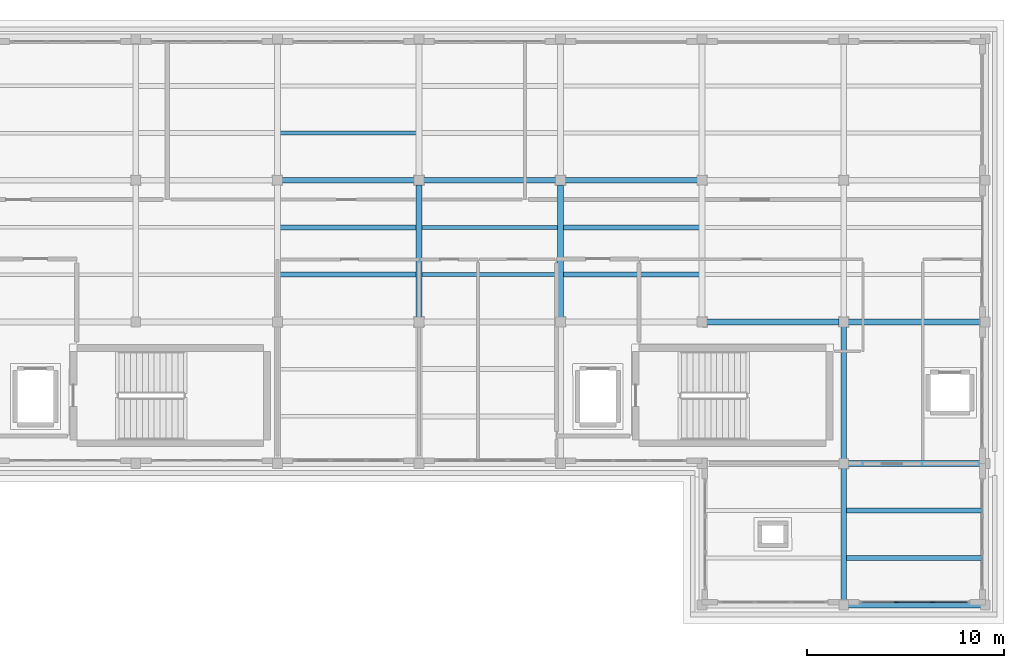
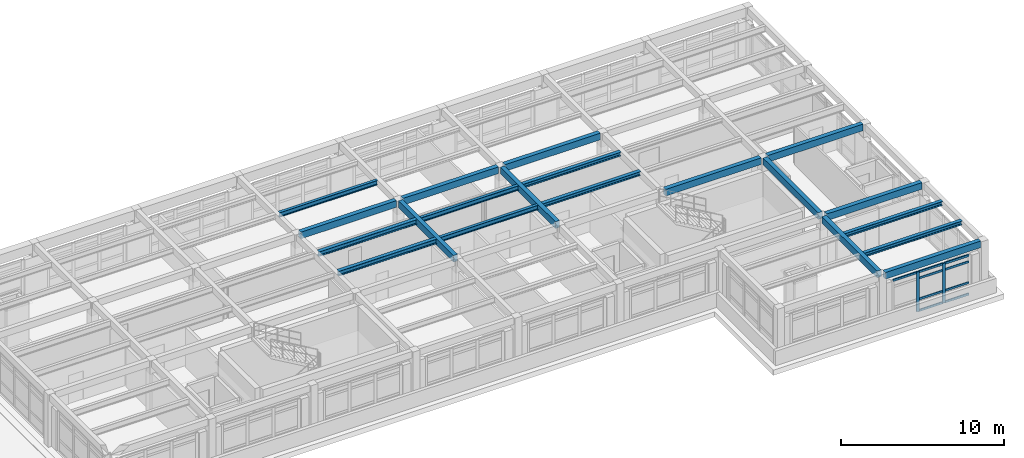
# One storey, part 6 of 18: 20 beams, 11 members, 1 element without a shape of its own.
"""IFC4 building model written with IfcOpenShell, lengths in metres."""

from ifc_helpers import new_model, si_unit, direction, frame, origin, origin_2d, place, context, subcontext, project, spatial, rectangle, i_section, extrude, material, layer, layer_set, material_profile, profile_set, type_object, element, aggregate, save


model = new_model("IFC4")

# Units and contexts
model_context = context("Model", 3, precision=1e-05, world=origin(), true_north=direction((0.0, 1.0)))
body_context = subcontext(model_context, "Body", "Model", "MODEL_VIEW")
ifc_project = project(units=[si_unit("LENGTHUNIT", "METRE"), si_unit("AREAUNIT", "SQUARE_METRE"), si_unit("VOLUMEUNIT", "CUBIC_METRE"), si_unit("PLANEANGLEUNIT", "RADIAN"), si_unit("MASSUNIT", "GRAM", prefix="KILO")], contexts=[model_context])

# Site, building, storey
site_placement = place(None, origin())
site = spatial("IfcSite", under=ifc_project, at=site_placement, CompositionType="ELEMENT")
building_placement = place(site_placement, origin())
building = spatial("IfcBuilding", under=site, at=building_placement, Name="Solenvale Faculty of Natural Sciences", CompositionType="ELEMENT")
storey_placement = place(building_placement, frame((0.0, 0.0, 39.60009765625)))
storey = spatial("IfcBuildingStorey", under=building, at=storey_placement, Name="L09", CompositionType="ELEMENT", Elevation=39.60009765625)

# Beams
ifc_material_1 = material(Name="Concrete 40 MPa", Category="concrete")
ifc_material_profile_1 = material_profile(ifc_material_1, rectangle(XDim=0.300048828125, YDim=0.5, at=origin_2d()), Name="RC-BM-300x500")
ifc_profile_set_1 = profile_set([ifc_material_profile_1], Name="Concrete 40 MPa")
beam_type_1 = type_object("IfcBeamType", Name="BM-RC-300x500", PredefinedType="BEAM", material=ifc_profile_set_1)
for number, where, z_axis, x_axis, name in (
    (1, (144.22998046875, 86.39990234375, 3.669921875), (1.0, 0.0, 0.0), (0.0, 1.0, 0.0), "L09 X-Girder Y86.4 (144.0..151.2)"),
    (2, (144.22998046875, 93.60009765625, 3.669921875), (1.0, 0.0, 0.0), (0.0, 1.0, 0.0), "L09 X-Girder Y93.6 (144.0..151.2)"),
    (3, (137.030029296875, 100.800048828125, 3.669921875), (1.0, 0.0, 0.0), (0.0, 1.0, 0.0), "L09 X-Girder Y100.8 (136.8..144.0)"),
    (4, (144.22998046875, 100.800048828125, 3.669921875), (1.0, 0.0, 0.0), (0.0, 1.0, 0.0), "L09 X-Girder Y100.8 (144.0..151.2)"),
    (5, (115.429931640625, 108.0, 3.669921875), (1.0, 0.0, 0.0), (0.0, 1.0, 0.0), "L09 X-Girder Y108.0 (115.2..122.4)"),
):
    element("IfcBeam", number, at=place(storey_placement, frame(where, z_axis=z_axis, x_axis=x_axis)), inside=storey, type_object=beam_type_1, Name=name, PredefinedType="BEAM", context=body_context, shape_type="SweptSolid", body=[
        extrude(rectangle(XDim=0.300048828125, YDim=0.5, at=origin_2d()), origin(), (0.0, 0.0, 1.0), 6.739990234375),
    ])
beam_1_placement = place(storey_placement, frame((122.6298828125, 108.0, 3.669921875), z_axis=(1.0, 0.0, 0.0), x_axis=(0.0, 1.0, 0.0)))
element("IfcBeam", 6, at=beam_1_placement, inside=storey, type_object=beam_type_1, Name="L09 X-Girder Y108.0 (122.4..129.6)", PredefinedType="BEAM", context=body_context, shape_type="SweptSolid", body=[
    extrude(rectangle(XDim=0.300048828125, YDim=0.5, at=origin_2d()), origin(), (0.0, 0.0, 1.0), 6.740234375),
])
for number, where, z_axis, x_axis, name in (
    (7, (129.830078125, 108.0, 3.669921875), (1.0, 0.0, 0.0), (0.0, 1.0, 0.0), "L09 X-Girder Y108.0 (129.6..136.8)"),
    (8, (122.39990234375, 101.030029296875, 3.669921875), (0.0, 1.0, 0.0), (-1.0, 0.0, 0.0), "L09 Y-Girder X122.4 (100.8..108.0)"),
    (9, (129.60009765625, 101.030029296875, 3.669921875), (0.0, 1.0, 0.0), (-1.0, 0.0, 0.0), "L09 Y-Girder X129.6 (100.8..108.0)"),
):
    element("IfcBeam", number, at=place(storey_placement, frame(where, z_axis=z_axis, x_axis=x_axis)), inside=storey, type_object=beam_type_1, Name=name, PredefinedType="BEAM", context=body_context, shape_type="SweptSolid", body=[
        extrude(rectangle(XDim=0.300048828125, YDim=0.5, at=origin_2d()), origin(), (0.0, 0.0, 1.0), 6.739990234375),
    ])
beam_2_placement = place(storey_placement, frame((144.0, 86.6298828125, 3.669921875), z_axis=(0.0, 1.0, 0.0), x_axis=(-1.0, 0.0, 0.0)))
element("IfcBeam", 10, at=beam_2_placement, inside=storey, type_object=beam_type_1, Name="L09 Y-Girder X144.0 (86.4..93.6)", PredefinedType="BEAM", context=body_context, shape_type="SweptSolid", body=[
    extrude(rectangle(XDim=0.300048828125, YDim=0.5, at=origin_2d()), origin(), (0.0, 0.0, 1.0), 6.740234375),
])
beam_3_placement = place(storey_placement, frame((144.0, 93.830078125, 3.669921875), z_axis=(0.0, 1.0, 0.0), x_axis=(-1.0, 0.0, 0.0)))
element("IfcBeam", 11, at=beam_3_placement, inside=storey, type_object=beam_type_1, Name="L09 Y-Girder X144.0 (93.6..100.8)", PredefinedType="BEAM", context=body_context, shape_type="SweptSolid", body=[
    extrude(rectangle(XDim=0.300048828125, YDim=0.5, at=origin_2d()), origin(), (0.0, 0.0, 1.0), 6.739990234375),
])
ifc_material_2 = material(Name="Steel S355", Category="steel")
ifc_material_profile_2 = material_profile(ifc_material_2, i_section(OverallWidth=0.25390625, OverallDepth=0.305908203125, WebThickness=0.0087890625, FlangeThickness=0.0146484375, FilletRadius=0.014892578125, at=origin_2d()), Name="W310x79")
ifc_profile_set_2 = profile_set([ifc_material_profile_2], Name="Steel S355")
beam_type_2 = type_object("IfcBeamType", Name="BM-STL-W310x79", PredefinedType="JOIST", material=ifc_profile_set_2)
for number, where, z_axis, x_axis, name in (
    (12, (129.72998046875, 103.199951171875, 3.766845703125), (1.0, 0.0, 0.0), (0.0, 1.0, 0.0), "L09 Composite Floor Joist (19,15).1"),
    (13, (129.72998046875, 105.60009765625, 3.766845703125), (1.0, 0.0, 0.0), (0.0, 1.0, 0.0), "L09 Composite Floor Joist (19,15).2"),
):
    element("IfcBeam", number, at=place(storey_placement, frame(where, z_axis=z_axis, x_axis=x_axis)), inside=storey, type_object=beam_type_2, Name=name, PredefinedType="JOIST", context=body_context, shape_type="SweptSolid", body=[
        extrude(i_section(OverallWidth=0.25390625, OverallDepth=0.305908203125, WebThickness=0.0087890625, FlangeThickness=0.0146484375, FilletRadius=0.014892578125, at=origin_2d()), origin(), (0.0, 0.0, 1.0), 6.93994140625),
    ])
for number, where, z_axis, x_axis, name in (
    (14, (144.1298828125, 88.800048828125, 3.766845703125), (1.0, 0.0, 0.0), (0.0, 1.0, 0.0), "L09 Composite Floor Joist (21,13).1"),
    (15, (144.1298828125, 91.199951171875, 3.766845703125), (1.0, 0.0, 0.0), (0.0, 1.0, 0.0), "L09 Composite Floor Joist (21,13).2"),
):
    element("IfcBeam", number, at=place(storey_placement, frame(where, z_axis=z_axis, x_axis=x_axis)), inside=storey, type_object=beam_type_2, Name=name, PredefinedType="JOIST", context=body_context, shape_type="SweptSolid", body=[
        extrude(i_section(OverallWidth=0.25390625, OverallDepth=0.305908203125, WebThickness=0.0087890625, FlangeThickness=0.0146484375, FilletRadius=0.014892578125, at=origin_2d()), origin(), (0.0, 0.0, 1.0), 6.940185546875),
    ])
ifc_material_profile_3 = material_profile(ifc_material_2, i_section(OverallWidth=0.2548828125, OverallDepth=0.35693359375, WebThickness=0.010498046875, FlangeThickness=0.018310546875, FilletRadius=0.014892578125, at=origin_2d()), Name="W360x101")
ifc_profile_set_3 = profile_set([ifc_material_profile_3], Name="Steel S355")
beam_type_3 = type_object("IfcBeamType", Name="BM-STL-W360x101", PredefinedType="JOIST", material=ifc_profile_set_3)
for number, where, z_axis, x_axis, name in (
    (16, (115.330078125, 103.199951171875, 3.741455078125), (1.0, 0.0, 0.0), (0.0, 1.0, 0.0), "L09 Composite Floor Joist (17,15).1"),
    (17, (115.330078125, 105.60009765625, 3.741455078125), (1.0, 0.0, 0.0), (0.0, 1.0, 0.0), "L09 Composite Floor Joist (17,15).2"),
):
    element("IfcBeam", number, at=place(storey_placement, frame(where, z_axis=z_axis, x_axis=x_axis)), inside=storey, type_object=beam_type_3, Name=name, PredefinedType="JOIST", context=body_context, shape_type="SweptSolid", body=[
        extrude(i_section(OverallWidth=0.2548828125, OverallDepth=0.35693359375, WebThickness=0.010498046875, FlangeThickness=0.018310546875, FilletRadius=0.014892578125, at=origin_2d()), origin(), (0.0, 0.0, 1.0), 6.93994140625),
    ])
ifc_material_profile_4 = material_profile(ifc_material_2, i_section(OverallWidth=0.2041015625, OverallDepth=0.35009765625, WebThickness=0.008544921875, FlangeThickness=0.01513671875, FilletRadius=0.014892578125, at=origin_2d()), Name="W360x72")
ifc_profile_set_4 = profile_set([ifc_material_profile_4], Name="Steel S355")
beam_type_4 = type_object("IfcBeamType", Name="BM-STL-W360x72", PredefinedType="JOIST", material=ifc_profile_set_4)
for number, where, z_axis, x_axis, name in (
    (18, (115.330078125, 110.39990234375, 3.744873046875), (1.0, 0.0, 0.0), (0.0, 1.0, 0.0), "L09 Composite Floor Joist (17,16).1"),
    (19, (122.530029296875, 103.199951171875, 3.744873046875), (1.0, 0.0, 0.0), (0.0, 1.0, 0.0), "L09 Composite Floor Joist (18,15).1"),
    (20, (122.530029296875, 105.60009765625, 3.744873046875), (1.0, 0.0, 0.0), (0.0, 1.0, 0.0), "L09 Composite Floor Joist (18,15).2"),
):
    element("IfcBeam", number, at=place(storey_placement, frame(where, z_axis=z_axis, x_axis=x_axis)), inside=storey, type_object=beam_type_4, Name=name, PredefinedType="JOIST", context=body_context, shape_type="SweptSolid", body=[
        extrude(i_section(OverallWidth=0.2041015625, OverallDepth=0.35009765625, WebThickness=0.008544921875, FlangeThickness=0.01513671875, FilletRadius=0.014892578125, at=origin_2d()), origin(), (0.0, 0.0, 1.0), 6.93994140625),
    ])

# Curtain wall, members
ifc_material_3 = material(Name="Anodised bronze aluminium", Category="aluminium")
ifc_layer = layer(ifc_material_3, 0.179931640625)
ifc_layer_set = layer_set([ifc_layer], Name="Anodised bronze aluminium")
curtain_wall_type = type_object("IfcCurtainWallType", Name="CW-TWR-MOD", PredefinedType="USERDEFINED", material=ifc_layer_set)
curtain_wall_placement = place(storey_placement, origin())
curtain_wall = element("IfcCurtainWall", 21, at=curtain_wall_placement, inside=storey, type_object=curtain_wall_type, Name="L09 Curtain Wall CW-L09-P1-E6-B2", ObjectType="UNITISED CURTAIN WALL", PredefinedType="USERDEFINED")
ifc_material_profile_5 = material_profile(ifc_material_3, rectangle(XDim=0.074951171875, YDim=0.2099609375, at=origin_2d()), Name="ALU-MUL-75x210")
ifc_profile_set_5 = profile_set([ifc_material_profile_5], Name="Anodised bronze aluminium")
member_type_1 = type_object("IfcMemberType", Name="CWM-ALU-75x210", PredefinedType="MULLION", material=ifc_profile_set_5)
member_1_placement = place(storey_placement, frame((146.683349609375, 86.54248046875, 0.0), z_axis=(0.0, 0.0, 1.0), x_axis=(0.0, 1.0, 0.0)))
member_1 = element("IfcMember", 22, at=member_1_placement, type_object=member_type_1, Name="CW-04 mullion 2", PredefinedType="MULLION", context=body_context, shape_type="SweptSolid", body=[
    extrude(rectangle(XDim=0.074951171875, YDim=0.2099609375, at=origin_2d()), origin(), (0.0, 0.0, 1.0), 2.9599609375),
])
member_2_placement = place(storey_placement, frame((148.5166015625, 86.54248046875, 0.0), z_axis=(0.0, 0.0, 1.0), x_axis=(0.0, 1.0, 0.0)))
member_2 = element("IfcMember", 23, at=member_2_placement, type_object=member_type_1, Name="CW-04 mullion 3", PredefinedType="MULLION", context=body_context, shape_type="SweptSolid", body=[
    extrude(rectangle(XDim=0.074951171875, YDim=0.2099609375, at=origin_2d()), origin(), (0.0, 0.0, 1.0), 2.9599609375),
])
ifc_material_profile_6 = material_profile(ifc_material_3, rectangle(XDim=0.074951171875, YDim=0.155029296875, at=origin_2d()), Name="ALU-TRN-75x155")
ifc_profile_set_6 = profile_set([ifc_material_profile_6], Name="Anodised bronze aluminium")
member_type_2 = type_object("IfcMemberType", Name="CWT-ALU-75x155", PredefinedType="USERDEFINED", material=ifc_profile_set_6)
member_3_placement = place(storey_placement, frame((144.925048828125, 86.54248046875, 2.92236328125), z_axis=(1.0, 0.0, 0.0), x_axis=(0.0, 1.0, 0.0)))
member_3 = element("IfcMember", 24, at=member_3_placement, type_object=member_type_2, Name="CW-04 transom 1.4", ObjectType="TRANSOM", PredefinedType="USERDEFINED", context=body_context, shape_type="SweptSolid", body=[
    extrude(rectangle(XDim=0.074951171875, YDim=0.155029296875, at=origin_2d()), origin(), (0.0, 0.0, 1.0), 1.720703125),
])
member_4_placement = place(storey_placement, frame((146.720947265625, 86.54248046875, 0.037353515625), z_axis=(1.0, 0.0, 0.0), x_axis=(0.0, 1.0, 0.0)))
member_4 = element("IfcMember", 25, at=member_4_placement, type_object=member_type_2, Name="CW-04 transom 2.1", ObjectType="TRANSOM", PredefinedType="USERDEFINED", context=body_context, shape_type="SweptSolid", body=[
    extrude(rectangle(XDim=0.074951171875, YDim=0.155029296875, at=origin_2d()), origin(), (0.0, 0.0, 1.0), 1.75830078125),
])
member_5_placement = place(storey_placement, frame((146.720947265625, 86.54248046875, 0.89990234375), z_axis=(1.0, 0.0, 0.0), x_axis=(0.0, 1.0, 0.0)))
member_5 = element("IfcMember", 26, at=member_5_placement, type_object=member_type_2, Name="CW-04 transom 2.2", ObjectType="TRANSOM", PredefinedType="USERDEFINED", context=body_context, shape_type="SweptSolid", body=[
    extrude(rectangle(XDim=0.074951171875, YDim=0.155029296875, at=origin_2d()), origin(), (0.0, 0.0, 1.0), 1.75830078125),
])
member_6_placement = place(storey_placement, frame((146.720947265625, 86.54248046875, 2.4599609375), z_axis=(1.0, 0.0, 0.0), x_axis=(0.0, 1.0, 0.0)))
member_6 = element("IfcMember", 27, at=member_6_placement, type_object=member_type_2, Name="CW-04 transom 2.3", ObjectType="TRANSOM", PredefinedType="USERDEFINED", context=body_context, shape_type="SweptSolid", body=[
    extrude(rectangle(XDim=0.074951171875, YDim=0.155029296875, at=origin_2d()), origin(), (0.0, 0.0, 1.0), 1.75830078125),
])
member_7_placement = place(storey_placement, frame((146.720947265625, 86.54248046875, 2.92236328125), z_axis=(1.0, 0.0, 0.0), x_axis=(0.0, 1.0, 0.0)))
member_7 = element("IfcMember", 28, at=member_7_placement, type_object=member_type_2, Name="CW-04 transom 2.4", ObjectType="TRANSOM", PredefinedType="USERDEFINED", context=body_context, shape_type="SweptSolid", body=[
    extrude(rectangle(XDim=0.074951171875, YDim=0.155029296875, at=origin_2d()), origin(), (0.0, 0.0, 1.0), 1.75830078125),
])
member_8_placement = place(storey_placement, frame((148.55419921875, 86.54248046875, 0.037353515625), z_axis=(1.0, 0.0, 0.0), x_axis=(0.0, 1.0, 0.0)))
member_8 = element("IfcMember", 29, at=member_8_placement, type_object=member_type_2, Name="CW-04 transom 3.1", ObjectType="TRANSOM", PredefinedType="USERDEFINED", context=body_context, shape_type="SweptSolid", body=[
    extrude(rectangle(XDim=0.074951171875, YDim=0.155029296875, at=origin_2d()), origin(), (0.0, 0.0, 1.0), 1.720703125),
])
member_9_placement = place(storey_placement, frame((148.55419921875, 86.54248046875, 0.89990234375), z_axis=(1.0, 0.0, 0.0), x_axis=(0.0, 1.0, 0.0)))
member_9 = element("IfcMember", 30, at=member_9_placement, type_object=member_type_2, Name="CW-04 transom 3.2", ObjectType="TRANSOM", PredefinedType="USERDEFINED", context=body_context, shape_type="SweptSolid", body=[
    extrude(rectangle(XDim=0.074951171875, YDim=0.155029296875, at=origin_2d()), origin(), (0.0, 0.0, 1.0), 1.720703125),
])
member_10_placement = place(storey_placement, frame((148.55419921875, 86.54248046875, 2.4599609375), z_axis=(1.0, 0.0, 0.0), x_axis=(0.0, 1.0, 0.0)))
member_10 = element("IfcMember", 31, at=member_10_placement, type_object=member_type_2, Name="CW-04 transom 3.3", ObjectType="TRANSOM", PredefinedType="USERDEFINED", context=body_context, shape_type="SweptSolid", body=[
    extrude(rectangle(XDim=0.074951171875, YDim=0.155029296875, at=origin_2d()), origin(), (0.0, 0.0, 1.0), 1.720703125),
])
member_11_placement = place(storey_placement, frame((148.55419921875, 86.54248046875, 2.92236328125), z_axis=(1.0, 0.0, 0.0), x_axis=(0.0, 1.0, 0.0)))
member_11 = element("IfcMember", 32, at=member_11_placement, type_object=member_type_2, Name="CW-04 transom 3.4", ObjectType="TRANSOM", PredefinedType="USERDEFINED", context=body_context, shape_type="SweptSolid", body=[
    extrude(rectangle(XDim=0.074951171875, YDim=0.155029296875, at=origin_2d()), origin(), (0.0, 0.0, 1.0), 1.720703125),
])
aggregate(curtain_wall, [member_1, member_2, member_3, member_4, member_5, member_6, member_7, member_8, member_9, member_10, member_11])

save(model, "model.ifc")
